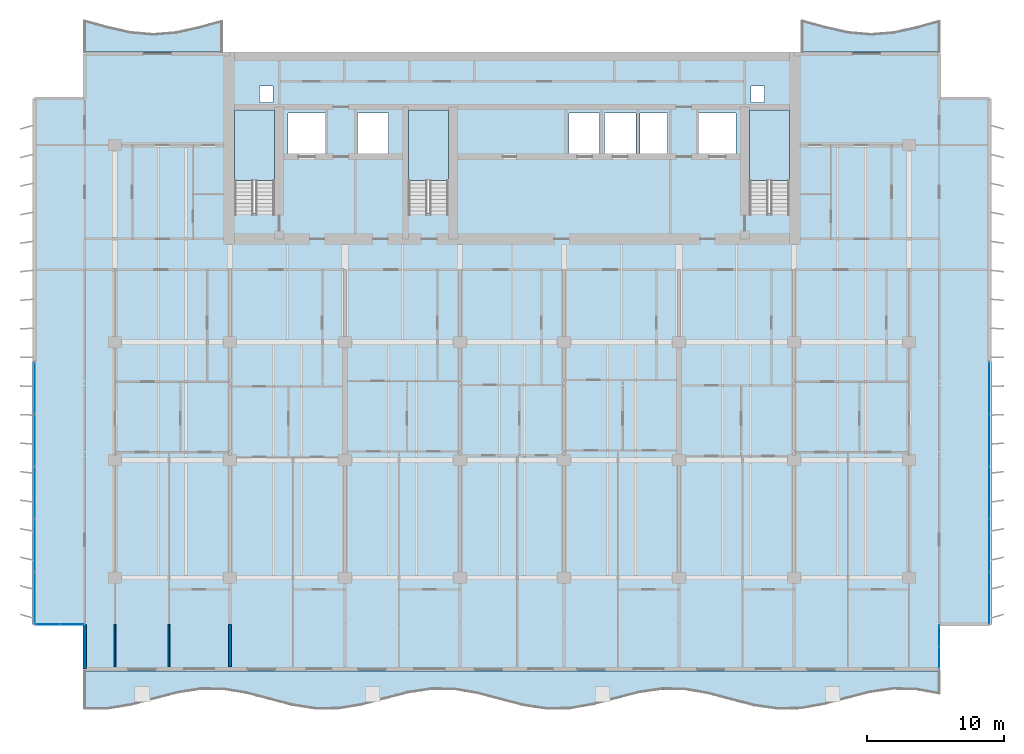
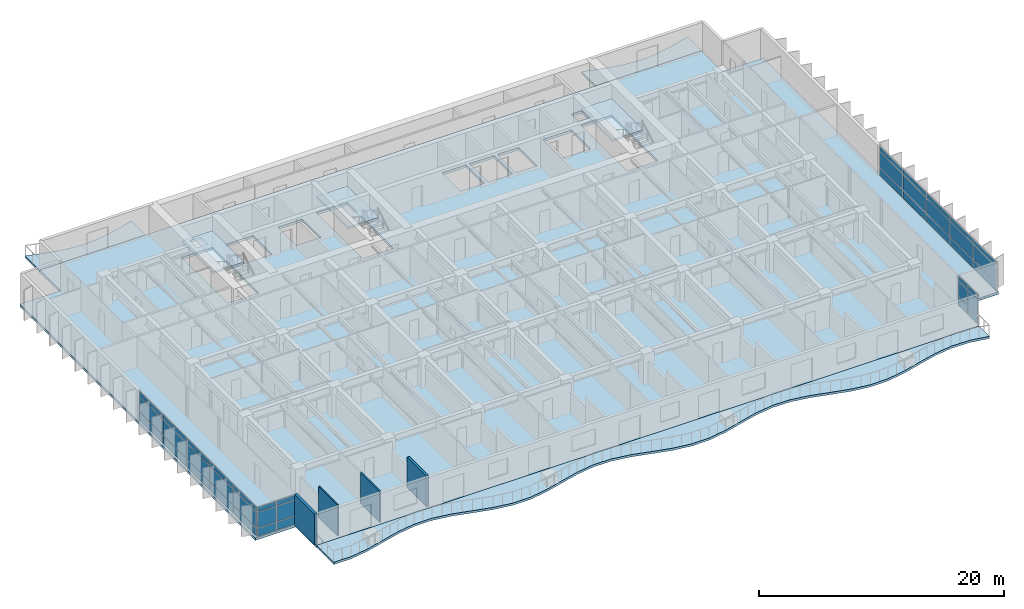
# One storey, part 5 of 18: 42 plates, 7 slabs, 4 walls, 7 elements without a shape of their own.
"""IFC4 building model written with IfcOpenShell, lengths in metres."""

import ifcopenshell
import ifcopenshell.guid

model = None  # the IFC model being written
_history = None  # IfcOwnerHistory: only IFC2X3 demands one
_inside = {}  # id of a spatial element -> (the spatial element, [elements in it])
_under = {}  # id of a project, library or spatial element -> (it, [spatial elements below it])
_declared = {}  # id of a project -> (the project, [libraries it declares])
_typed = {}  # id of a type object -> (the type object, [elements of that type])
_made_of = {}  # id of a material, layer set ... -> (it, [elements and type objects made of it])


def new_model(schema):
    """Start an empty IFC model of exactly this schema.

    Asked for "IFC4X3", IfcOpenShell would pick the latest addendum, in which some entities
    have other attributes; the version numbers below select the first issue.
    IFC2X3 requires an IfcOwnerHistory on every rooted entity: one is made here for all.
    """
    global model, _history
    if schema == "IFC4X3":
        model = ifcopenshell.file(schema_version=(4, 3, 0, 0))
    else:
        model = ifcopenshell.file(schema=schema)
    _inside.clear()
    _under.clear()
    _declared.clear()
    _typed.clear()
    _made_of.clear()
    _history = None
    if model.schema == "IFC2X3":
        org = make("IfcOrganization", Name="unknown")
        user = make(
            "IfcPersonAndOrganization",
            ThePerson=make("IfcPerson", FamilyName="unknown"),
            TheOrganization=org,
        )
        app = make(
            "IfcApplication",
            ApplicationDeveloper=org,
            Version="unknown",
            ApplicationFullName="unknown",
            ApplicationIdentifier="unknown",
        )
        _history = make(
            "IfcOwnerHistory",
            OwningUser=user,
            OwningApplication=app,
            ChangeAction="ADDED",
            CreationDate=0,
        )
    return model


def make(cls, **values):
    """One entity of the class cls with the attributes given. An attribute that is None is left unset."""
    return model.create_entity(
        cls, **{name: value for name, value in values.items() if value is not None}
    )


def rooted(cls, **values):
    """An entity with a GlobalId (a new one), such as an element, a storey or a relation."""
    return make(cls, GlobalId=ifcopenshell.guid.new(), OwnerHistory=_history, **values)


def si_unit(unit_type, name, prefix=None):
    """IfcSIUnit, for example si_unit("LENGTHUNIT", "METRE", prefix="MILLI")."""
    return make("IfcSIUnit", UnitType=unit_type, Prefix=prefix, Name=name)


def assignment(units):
    """IfcUnitAssignment: the units of a project."""
    return None if units is None else make("IfcUnitAssignment", Units=units)


def point(xyz):
    """IfcCartesianPoint."""
    return None if xyz is None else make("IfcCartesianPoint", Coordinates=xyz)


def direction(xyz):
    """IfcDirection."""
    return None if xyz is None else make("IfcDirection", DirectionRatios=xyz)


def frame(location, z_axis=None, x_axis=None):
    """IfcAxis2Placement3D, a coordinate frame: its origin and axes. An axis left out is left unset."""
    return make(
        "IfcAxis2Placement3D",
        Location=point(location),
        Axis=direction(z_axis),
        RefDirection=direction(x_axis),
    )


def frame_2d(location, x_axis=None):
    """IfcAxis2Placement2D, a coordinate frame in the plane: its origin and x axis."""
    return make(
        "IfcAxis2Placement2D", Location=point(location), RefDirection=direction(x_axis)
    )


def origin():
    """The frame at (0, 0, 0) with its axes left unset."""
    return frame((0.0, 0.0, 0.0))


def origin_2d():
    """The frame at (0, 0) in the plane with its x axis left unset."""
    return frame_2d((0.0, 0.0))


def place(relative_to, where):
    """IfcLocalPlacement: puts the frame where relative to a parent placement (None: the world)."""
    return make(
        "IfcLocalPlacement", PlacementRelTo=relative_to, RelativePlacement=where
    )


def context(
    kind, dimensions, precision=None, world=None, true_north=None, identifier=None
):
    """IfcGeometricRepresentationContext, for example the 3D "Model" context."""
    return make(
        "IfcGeometricRepresentationContext",
        ContextIdentifier=identifier,
        ContextType=kind,
        CoordinateSpaceDimension=dimensions,
        Precision=precision,
        WorldCoordinateSystem=world,
        TrueNorth=true_north,
    )


def subcontext(parent, identifier, kind, view, scale=None):
    """IfcGeometricRepresentationSubContext, for example "Body" below "Model"."""
    return make(
        "IfcGeometricRepresentationSubContext",
        ContextIdentifier=identifier,
        ContextType=kind,
        ParentContext=parent,
        TargetScale=scale,
        TargetView=view,
    )


def project(units=None, contexts=None):
    """IfcProject with its units and contexts."""
    return rooted(
        "IfcProject",
        Name="project",
        RepresentationContexts=contexts,
        UnitsInContext=assignment(units),
    )


def spatial(cls, under=None, at=None, **own):
    """A site, building, storey or space (cls), placed at a placement, below another one or the project."""
    s = rooted(cls, ObjectPlacement=at, **own)
    if under is not None:
        _under.setdefault(under.id(), (under, []))[1].append(s)
    return s


def polyline(points):
    """IfcPolyline through the points."""
    return make("IfcPolyline", Points=[point(p) for p in points])


def profile(cls, at=None, kind="AREA", **sizes):
    """A parametric profile (cls). Its sizes go by their IFC names, for example OverallWidth=200.0."""
    return make(cls, ProfileType=kind, Position=at, **sizes)


def rectangle(**sizes):
    """IfcRectangleProfileDef."""
    return profile("IfcRectangleProfileDef", **sizes)


def outline(outer, holes=None, kind="AREA"):
    """IfcArbitraryClosedProfileDef: a profile drawn as a closed curve; with holes, ...WithVoids."""
    if holes is None:
        return make("IfcArbitraryClosedProfileDef", ProfileType=kind, OuterCurve=outer)
    return make(
        "IfcArbitraryProfileDefWithVoids",
        ProfileType=kind,
        OuterCurve=outer,
        InnerCurves=holes,
    )


def extrude(swept, where, along, depth):
    """IfcExtrudedAreaSolid: the profile swept, set in the frame where, extruded along a direction by depth."""
    return make(
        "IfcExtrudedAreaSolid",
        SweptArea=swept,
        Position=where,
        ExtrudedDirection=direction(along),
        Depth=depth,
    )


def shape(context_of_items, identifier, shape_type, items):
    """IfcShapeRepresentation: the items that make up one representation, for example the "Body"."""
    return make(
        "IfcShapeRepresentation",
        ContextOfItems=context_of_items,
        RepresentationIdentifier=identifier,
        RepresentationType=shape_type,
        Items=items,
    )


def material(Name=None, Category=None):
    """IfcMaterial."""
    return make("IfcMaterial", Name=Name, Category=Category)


def layer(
    of_material, thickness, ventilated=None, Name=None, Category=None, Priority=None
):
    """IfcMaterialLayer: one layer of a wall or slab, of a material (None: an air gap)."""
    return make(
        "IfcMaterialLayer",
        Material=of_material,
        LayerThickness=thickness,
        IsVentilated=ventilated,
        Name=Name,
        Category=Category,
        Priority=Priority,
    )


def layer_set(layers, Name=None):
    """IfcMaterialLayerSet."""
    return make("IfcMaterialLayerSet", MaterialLayers=layers, LayerSetName=Name)


def made_of(thing, what):
    """Note that an element or type object is made of a material, layer set ...; save() writes the relation."""
    if what is not None:
        _made_of.setdefault(what.id(), (what, []))[1].append(thing)
    return thing


def type_object(cls, material=None, **own):
    """A type object (cls), such as IfcWallType, which elements share."""
    return made_of(rooted(cls, **own), material)


def element(
    cls,
    number,
    at=None,
    inside=None,
    cuts=None,
    type_object=None,
    material=None,
    context=None,
    identifier="Body",
    shape_type=None,
    held_by="IfcProductDefinitionShape",
    body=None,
    shapes=None,
    **own,
):
    """One element of the class cls, such as IfcWall. Its Tag is "e" and its number.

    at: its placement. inside: the storey or other place that contains it. cuts: it is an
    opening in that element (IfcRelVoidsElement). A single representation is given by context,
    identifier, shape_type and body (its items); several are given by shapes. held_by: the class
    of the entity that holds the representations. save() writes the other relations.
    """
    e = rooted(cls, Tag="e%d" % number, ObjectPlacement=at, **own)
    if body is not None:
        shapes = [shape(context, identifier, shape_type, body)]
    if shapes is not None:
        e.Representation = make(held_by, Representations=shapes)
    if inside is not None:
        _inside.setdefault(inside.id(), (inside, []))[1].append(e)
    if cuts is not None:
        rooted(
            "IfcRelVoidsElement", RelatingBuildingElement=cuts, RelatedOpeningElement=e
        )
    if type_object is not None:
        _typed.setdefault(type_object.id(), (type_object, []))[1].append(e)
    return made_of(e, material)


def aggregate(whole, parts):
    """IfcRelAggregates: a whole, such as a stair, and the parts it consists of."""
    return rooted("IfcRelAggregates", RelatingObject=whole, RelatedObjects=parts)


def save(model, path):
    """Write the relations noted so far, then the file.

    IfcRelAggregates (storeys below a building ...), IfcRelContainedInSpatialStructure (elements
    in a storey), IfcRelDefinesByType, IfcRelAssociatesMaterial and IfcRelDeclares: one each for
    every whole, place, type object, material and project.
    """
    for whole, parts in _under.values():
        aggregate(whole, parts)
    for where, things in _inside.values():
        rooted(
            "IfcRelContainedInSpatialStructure",
            RelatedElements=things,
            RelatingStructure=where,
        )
    for kind, things in _typed.values():
        rooted("IfcRelDefinesByType", RelatedObjects=things, RelatingType=kind)
    for what, things in _made_of.values():
        rooted("IfcRelAssociatesMaterial", RelatedObjects=things, RelatingMaterial=what)
    for by, libraries in _declared.values():
        rooted("IfcRelDeclares", RelatingContext=by, RelatedDefinitions=libraries)
    model.write(path)


model = new_model("IFC4")

# Units and contexts
model_context = context("Model", 3, precision=1e-05, world=origin(), true_north=direction((0.0, 1.0)))
body_context = subcontext(model_context, "Body", "Model", "MODEL_VIEW")
ifc_project = project(units=[si_unit("LENGTHUNIT", "METRE"), si_unit("AREAUNIT", "SQUARE_METRE"), si_unit("VOLUMEUNIT", "CUBIC_METRE"), si_unit("PLANEANGLEUNIT", "RADIAN"), si_unit("MASSUNIT", "GRAM", prefix="KILO")], contexts=[model_context])

# Site, building, storey
site_placement = place(None, origin())
site = spatial("IfcSite", under=ifc_project, at=site_placement, CompositionType="ELEMENT")
building_placement = place(site_placement, origin())
building = spatial("IfcBuilding", under=site, at=building_placement, Name="Caelmar Bay Residences", CompositionType="ELEMENT")
storey_placement = place(building_placement, frame((0.0, 0.0, 129.0)))
storey = spatial("IfcBuildingStorey", under=building, at=storey_placement, Name="L35", CompositionType="ELEMENT", Elevation=129.0)

# Curtain wall, plates
ifc_material_1 = material(Name="Anodised bronze aluminium 6063-T6 and laminated glass", Category="aluminium")
ifc_layer_1 = layer(ifc_material_1, 0.179931640625)
ifc_layer_set_1 = layer_set([ifc_layer_1], Name="Anodised bronze aluminium 6063-T6 and laminated glass")
curtain_wall_type_1 = type_object("IfcCurtainWallType", Name="CW6-NTC", PredefinedType="NOTDEFINED", material=ifc_layer_set_1)
curtain_wall_1_placement = place(storey_placement, origin())
curtain_wall_1 = element("IfcCurtainWall", 1, at=curtain_wall_1_placement, inside=storey, type_object=curtain_wall_type_1, Name="CW6 curtain wall L35", PredefinedType="NOTDEFINED")
ifc_material_2 = material(Name="Bronze-tinted laminated low-E hurricane glass 28 mm", Category="glass")
ifc_layer_2 = layer(ifc_material_2, 0.028076171875)
ifc_layer_set_2 = layer_set([ifc_layer_2], Name="Bronze-tinted laminated low-E hurricane glass 28 mm")
plate_type = type_object("IfcPlateType", Name="CWP-GLZ28", PredefinedType="CURTAIN_PANEL", material=ifc_layer_set_2)
plate_1_placement = place(storey_placement, frame((4.982421875, 8.800048828125, 0.080078125), z_axis=(0.0, 0.0, 1.0), x_axis=(1.0, 0.0, 0.0)))
plate_1 = element("IfcPlate", 2, at=plate_1_placement, type_object=plate_type, Name="CW6 panel 1.1", PredefinedType="CURTAIN_PANEL", context=body_context, shape_type="SweptSolid", body=[
    extrude(rectangle(XDim=1.705078125, YDim=0.028076171875, at=origin_2d()), origin(), (0.0, 0.0, 1.0), 0.780029296875),
])
plate_2_placement = place(storey_placement, frame((4.982421875, 8.800048828125, 0.93994140625), z_axis=(0.0, 0.0, 1.0), x_axis=(1.0, 0.0, 0.0)))
plate_2 = element("IfcPlate", 3, at=plate_2_placement, type_object=plate_type, Name="CW6 panel 1.2", PredefinedType="CURTAIN_PANEL", context=body_context, shape_type="SweptSolid", body=[
    extrude(rectangle(XDim=1.705078125, YDim=0.028076171875, at=origin_2d()), origin(), (0.0, 0.0, 1.0), 1.52001953125),
])
plate_3_placement = place(storey_placement, frame((4.982421875, 8.800048828125, 2.5400390625), z_axis=(0.0, 0.0, 1.0), x_axis=(1.0, 0.0, 0.0)))
plate_3 = element("IfcPlate", 4, at=plate_3_placement, type_object=plate_type, Name="CW6 panel 1.3", PredefinedType="CURTAIN_PANEL", context=body_context, shape_type="SweptSolid", body=[
    extrude(rectangle(XDim=1.705078125, YDim=0.028076171875, at=origin_2d()), origin(), (0.0, 0.0, 1.0), 0.429931640625),
])
plate_4_placement = place(storey_placement, frame((6.767578125, 8.800048828125, 0.080078125), z_axis=(0.0, 0.0, 1.0), x_axis=(1.0, 0.0, 0.0)))
plate_4 = element("IfcPlate", 5, at=plate_4_placement, type_object=plate_type, Name="CW6 panel 2.1", PredefinedType="CURTAIN_PANEL", context=body_context, shape_type="SweptSolid", body=[
    extrude(rectangle(XDim=1.705078125, YDim=0.028076171875, at=origin_2d()), origin(), (0.0, 0.0, 1.0), 0.780029296875),
])
plate_5_placement = place(storey_placement, frame((6.767578125, 8.800048828125, 0.93994140625), z_axis=(0.0, 0.0, 1.0), x_axis=(1.0, 0.0, 0.0)))
plate_5 = element("IfcPlate", 6, at=plate_5_placement, type_object=plate_type, Name="CW6 panel 2.2", PredefinedType="CURTAIN_PANEL", context=body_context, shape_type="SweptSolid", body=[
    extrude(rectangle(XDim=1.705078125, YDim=0.028076171875, at=origin_2d()), origin(), (0.0, 0.0, 1.0), 1.52001953125),
])
plate_6_placement = place(storey_placement, frame((6.767578125, 8.800048828125, 2.5400390625), z_axis=(0.0, 0.0, 1.0), x_axis=(1.0, 0.0, 0.0)))
plate_6 = element("IfcPlate", 7, at=plate_6_placement, type_object=plate_type, Name="CW6 panel 2.3", PredefinedType="CURTAIN_PANEL", context=body_context, shape_type="SweptSolid", body=[
    extrude(rectangle(XDim=1.705078125, YDim=0.028076171875, at=origin_2d()), origin(), (0.0, 0.0, 1.0), 0.429931640625),
])
aggregate(curtain_wall_1, [plate_1, plate_2, plate_3, plate_4, plate_5, plate_6])

curtain_wall_2_placement = place(storey_placement, origin())
curtain_wall_2 = element("IfcCurtainWall", 8, at=curtain_wall_2_placement, inside=storey, type_object=curtain_wall_type_1, Name="CW6 curtain wall L35", PredefinedType="NOTDEFINED")
plate_7_placement = place(storey_placement, frame((70.10009765625, 6.382568359375, 0.080078125), z_axis=(0.0, 0.0, 1.0), x_axis=(0.0, 1.0, 0.0)))
plate_7 = element("IfcPlate", 9, at=plate_7_placement, type_object=plate_type, Name="CW6 panel 1.1", PredefinedType="CURTAIN_PANEL", context=body_context, shape_type="SweptSolid", body=[
    extrude(rectangle(XDim=1.5048828125, YDim=0.028076171875, at=origin_2d()), origin(), (0.0, 0.0, 1.0), 0.780029296875),
])
plate_8_placement = place(storey_placement, frame((70.10009765625, 6.382568359375, 0.93994140625), z_axis=(0.0, 0.0, 1.0), x_axis=(0.0, 1.0, 0.0)))
plate_8 = element("IfcPlate", 10, at=plate_8_placement, type_object=plate_type, Name="CW6 panel 1.2", PredefinedType="CURTAIN_PANEL", context=body_context, shape_type="SweptSolid", body=[
    extrude(rectangle(XDim=1.5048828125, YDim=0.028076171875, at=origin_2d()), origin(), (0.0, 0.0, 1.0), 1.52001953125),
])
plate_9_placement = place(storey_placement, frame((70.10009765625, 6.382568359375, 2.5400390625), z_axis=(0.0, 0.0, 1.0), x_axis=(0.0, 1.0, 0.0)))
plate_9 = element("IfcPlate", 11, at=plate_9_placement, type_object=plate_type, Name="CW6 panel 1.3", PredefinedType="CURTAIN_PANEL", context=body_context, shape_type="SweptSolid", body=[
    extrude(rectangle(XDim=1.5048828125, YDim=0.028076171875, at=origin_2d()), origin(), (0.0, 0.0, 1.0), 0.429931640625),
])
plate_10_placement = place(storey_placement, frame((70.10009765625, 7.967529296875, 0.080078125), z_axis=(0.0, 0.0, 1.0), x_axis=(0.0, 1.0, 0.0)))
plate_10 = element("IfcPlate", 12, at=plate_10_placement, type_object=plate_type, Name="CW6 panel 2.1", PredefinedType="CURTAIN_PANEL", context=body_context, shape_type="SweptSolid", body=[
    extrude(rectangle(XDim=1.5048828125, YDim=0.028076171875, at=origin_2d()), origin(), (0.0, 0.0, 1.0), 0.780029296875),
])
plate_11_placement = place(storey_placement, frame((70.10009765625, 7.967529296875, 0.93994140625), z_axis=(0.0, 0.0, 1.0), x_axis=(0.0, 1.0, 0.0)))
plate_11 = element("IfcPlate", 13, at=plate_11_placement, type_object=plate_type, Name="CW6 panel 2.2", PredefinedType="CURTAIN_PANEL", context=body_context, shape_type="SweptSolid", body=[
    extrude(rectangle(XDim=1.5048828125, YDim=0.028076171875, at=origin_2d()), origin(), (0.0, 0.0, 1.0), 1.52001953125),
])
plate_12_placement = place(storey_placement, frame((70.10009765625, 7.967529296875, 2.5400390625), z_axis=(0.0, 0.0, 1.0), x_axis=(0.0, 1.0, 0.0)))
plate_12 = element("IfcPlate", 14, at=plate_12_placement, type_object=plate_type, Name="CW6 panel 2.3", PredefinedType="CURTAIN_PANEL", context=body_context, shape_type="SweptSolid", body=[
    extrude(rectangle(XDim=1.5048828125, YDim=0.028076171875, at=origin_2d()), origin(), (0.0, 0.0, 1.0), 0.429931640625),
])
aggregate(curtain_wall_2, [plate_7, plate_8, plate_9, plate_10, plate_11, plate_12])

ifc_layer_3 = layer(ifc_material_1, 0.179931640625)
ifc_layer_set_3 = layer_set([ifc_layer_3], Name="Anodised bronze aluminium 6063-T6 and laminated glass")
curtain_wall_type_2 = type_object("IfcCurtainWallType", Name="CW3-Z2", PredefinedType="NOTDEFINED", material=ifc_layer_set_3)
curtain_wall_3_placement = place(storey_placement, origin())
curtain_wall_3 = element("IfcCurtainWall", 15, at=curtain_wall_3_placement, inside=storey, type_object=curtain_wall_type_2, Name="CW3 curtain wall L35", PredefinedType="NOTDEFINED")
plate_13_placement = place(storey_placement, frame((4.050048828125, 10.739990234375, 0.080078125), z_axis=(0.0, 0.0, 1.0), x_axis=(0.0, 1.0, 0.0)))
plate_13 = element("IfcPlate", 16, at=plate_13_placement, type_object=plate_type, Name="CW3 panel 1.1", PredefinedType="CURTAIN_PANEL", context=body_context, shape_type="SweptSolid", body=[
    extrude(rectangle(XDim=3.719970703125, YDim=0.028076171875, at=origin_2d()), origin(), (0.0, 0.0, 1.0), 0.780029296875),
])
plate_14_placement = place(storey_placement, frame((4.050048828125, 10.739990234375, 0.93994140625), z_axis=(0.0, 0.0, 1.0), x_axis=(0.0, 1.0, 0.0)))
plate_14 = element("IfcPlate", 17, at=plate_14_placement, type_object=plate_type, Name="CW3 panel 1.2", PredefinedType="CURTAIN_PANEL", context=body_context, shape_type="SweptSolid", body=[
    extrude(rectangle(XDim=3.719970703125, YDim=0.028076171875, at=origin_2d()), origin(), (0.0, 0.0, 1.0), 1.52001953125),
])
plate_15_placement = place(storey_placement, frame((4.050048828125, 10.739990234375, 2.5400390625), z_axis=(0.0, 0.0, 1.0), x_axis=(0.0, 1.0, 0.0)))
plate_15 = element("IfcPlate", 18, at=plate_15_placement, type_object=plate_type, Name="CW3 panel 1.3", PredefinedType="CURTAIN_PANEL", context=body_context, shape_type="SweptSolid", body=[
    extrude(rectangle(XDim=3.719970703125, YDim=0.028076171875, at=origin_2d()), origin(), (0.0, 0.0, 1.0), 0.429931640625),
])
plate_16_placement = place(storey_placement, frame((4.050048828125, 14.56005859375, 0.080078125), z_axis=(0.0, 0.0, 1.0), x_axis=(0.0, 1.0, 0.0)))
plate_16 = element("IfcPlate", 19, at=plate_16_placement, type_object=plate_type, Name="CW3 panel 2.1", PredefinedType="CURTAIN_PANEL", context=body_context, shape_type="SweptSolid", body=[
    extrude(rectangle(XDim=3.760009765625, YDim=0.028076171875, at=origin_2d()), origin(), (0.0, 0.0, 1.0), 0.780029296875),
])
plate_17_placement = place(storey_placement, frame((4.050048828125, 14.56005859375, 0.93994140625), z_axis=(0.0, 0.0, 1.0), x_axis=(0.0, 1.0, 0.0)))
plate_17 = element("IfcPlate", 20, at=plate_17_placement, type_object=plate_type, Name="CW3 panel 2.2", PredefinedType="CURTAIN_PANEL", context=body_context, shape_type="SweptSolid", body=[
    extrude(rectangle(XDim=3.760009765625, YDim=0.028076171875, at=origin_2d()), origin(), (0.0, 0.0, 1.0), 1.52001953125),
])
plate_18_placement = place(storey_placement, frame((4.050048828125, 14.56005859375, 2.5400390625), z_axis=(0.0, 0.0, 1.0), x_axis=(0.0, 1.0, 0.0)))
plate_18 = element("IfcPlate", 21, at=plate_18_placement, type_object=plate_type, Name="CW3 panel 2.3", PredefinedType="CURTAIN_PANEL", context=body_context, shape_type="SweptSolid", body=[
    extrude(rectangle(XDim=3.760009765625, YDim=0.028076171875, at=origin_2d()), origin(), (0.0, 0.0, 1.0), 0.429931640625),
])
plate_19_placement = place(storey_placement, frame((4.050048828125, 18.39990234375, 0.080078125), z_axis=(0.0, 0.0, 1.0), x_axis=(0.0, 1.0, 0.0)))
plate_19 = element("IfcPlate", 22, at=plate_19_placement, type_object=plate_type, Name="CW3 panel 3.1", PredefinedType="CURTAIN_PANEL", context=body_context, shape_type="SweptSolid", body=[
    extrude(rectangle(XDim=3.760009765625, YDim=0.028076171875, at=origin_2d()), origin(), (0.0, 0.0, 1.0), 0.780029296875),
])
plate_20_placement = place(storey_placement, frame((4.050048828125, 18.39990234375, 0.93994140625), z_axis=(0.0, 0.0, 1.0), x_axis=(0.0, 1.0, 0.0)))
plate_20 = element("IfcPlate", 23, at=plate_20_placement, type_object=plate_type, Name="CW3 panel 3.2", PredefinedType="CURTAIN_PANEL", context=body_context, shape_type="SweptSolid", body=[
    extrude(rectangle(XDim=3.760009765625, YDim=0.028076171875, at=origin_2d()), origin(), (0.0, 0.0, 1.0), 1.52001953125),
])
plate_21_placement = place(storey_placement, frame((4.050048828125, 18.39990234375, 2.5400390625), z_axis=(0.0, 0.0, 1.0), x_axis=(0.0, 1.0, 0.0)))
plate_21 = element("IfcPlate", 24, at=plate_21_placement, type_object=plate_type, Name="CW3 panel 3.3", PredefinedType="CURTAIN_PANEL", context=body_context, shape_type="SweptSolid", body=[
    extrude(rectangle(XDim=3.760009765625, YDim=0.028076171875, at=origin_2d()), origin(), (0.0, 0.0, 1.0), 0.429931640625),
])
plate_22_placement = place(storey_placement, frame((4.050048828125, 22.239990234375, 0.080078125), z_axis=(0.0, 0.0, 1.0), x_axis=(0.0, 1.0, 0.0)))
plate_22 = element("IfcPlate", 25, at=plate_22_placement, type_object=plate_type, Name="CW3 panel 4.1", PredefinedType="CURTAIN_PANEL", context=body_context, shape_type="SweptSolid", body=[
    extrude(rectangle(XDim=3.760009765625, YDim=0.028076171875, at=origin_2d()), origin(), (0.0, 0.0, 1.0), 0.780029296875),
])
plate_23_placement = place(storey_placement, frame((4.050048828125, 22.239990234375, 0.93994140625), z_axis=(0.0, 0.0, 1.0), x_axis=(0.0, 1.0, 0.0)))
plate_23 = element("IfcPlate", 26, at=plate_23_placement, type_object=plate_type, Name="CW3 panel 4.2", PredefinedType="CURTAIN_PANEL", context=body_context, shape_type="SweptSolid", body=[
    extrude(rectangle(XDim=3.760009765625, YDim=0.028076171875, at=origin_2d()), origin(), (0.0, 0.0, 1.0), 1.52001953125),
])
plate_24_placement = place(storey_placement, frame((4.050048828125, 22.239990234375, 2.5400390625), z_axis=(0.0, 0.0, 1.0), x_axis=(0.0, 1.0, 0.0)))
plate_24 = element("IfcPlate", 27, at=plate_24_placement, type_object=plate_type, Name="CW3 panel 4.3", PredefinedType="CURTAIN_PANEL", context=body_context, shape_type="SweptSolid", body=[
    extrude(rectangle(XDim=3.760009765625, YDim=0.028076171875, at=origin_2d()), origin(), (0.0, 0.0, 1.0), 0.429931640625),
])
plate_25_placement = place(storey_placement, frame((4.050048828125, 26.06005859375, 0.080078125), z_axis=(0.0, 0.0, 1.0), x_axis=(0.0, 1.0, 0.0)))
plate_25 = element("IfcPlate", 28, at=plate_25_placement, type_object=plate_type, Name="CW3 panel 5.1", PredefinedType="CURTAIN_PANEL", context=body_context, shape_type="SweptSolid", body=[
    extrude(rectangle(XDim=3.719970703125, YDim=0.028076171875, at=origin_2d()), origin(), (0.0, 0.0, 1.0), 0.780029296875),
])
plate_26_placement = place(storey_placement, frame((4.050048828125, 26.06005859375, 0.93994140625), z_axis=(0.0, 0.0, 1.0), x_axis=(0.0, 1.0, 0.0)))
plate_26 = element("IfcPlate", 29, at=plate_26_placement, type_object=plate_type, Name="CW3 panel 5.2", PredefinedType="CURTAIN_PANEL", context=body_context, shape_type="SweptSolid", body=[
    extrude(rectangle(XDim=3.719970703125, YDim=0.028076171875, at=origin_2d()), origin(), (0.0, 0.0, 1.0), 1.52001953125),
])
plate_27_placement = place(storey_placement, frame((4.050048828125, 26.06005859375, 2.5400390625), z_axis=(0.0, 0.0, 1.0), x_axis=(0.0, 1.0, 0.0)))
plate_27 = element("IfcPlate", 30, at=plate_27_placement, type_object=plate_type, Name="CW3 panel 5.3", PredefinedType="CURTAIN_PANEL", context=body_context, shape_type="SweptSolid", body=[
    extrude(rectangle(XDim=3.719970703125, YDim=0.028076171875, at=origin_2d()), origin(), (0.0, 0.0, 1.0), 0.429931640625),
])
aggregate(curtain_wall_3, [plate_13, plate_14, plate_15, plate_16, plate_17, plate_18, plate_19, plate_20, plate_21, plate_22, plate_23, plate_24, plate_25, plate_26, plate_27])

curtain_wall_4_placement = place(storey_placement, origin())
curtain_wall_4 = element("IfcCurtainWall", 31, at=curtain_wall_4_placement, inside=storey, type_object=curtain_wall_type_2, Name="CW3 curtain wall L35", PredefinedType="NOTDEFINED")
plate_28_placement = place(storey_placement, frame((73.75, 26.06005859375, 0.080078125), z_axis=(0.0, 0.0, 1.0), x_axis=(0.0, -1.0, 0.0)))
plate_28 = element("IfcPlate", 32, at=plate_28_placement, type_object=plate_type, Name="CW3 panel 1.1", PredefinedType="CURTAIN_PANEL", context=body_context, shape_type="SweptSolid", body=[
    extrude(rectangle(XDim=3.719970703125, YDim=0.028076171875, at=origin_2d()), origin(), (0.0, 0.0, 1.0), 0.780029296875),
])
plate_29_placement = place(storey_placement, frame((73.75, 26.06005859375, 0.93994140625), z_axis=(0.0, 0.0, 1.0), x_axis=(0.0, -1.0, 0.0)))
plate_29 = element("IfcPlate", 33, at=plate_29_placement, type_object=plate_type, Name="CW3 panel 1.2", PredefinedType="CURTAIN_PANEL", context=body_context, shape_type="SweptSolid", body=[
    extrude(rectangle(XDim=3.719970703125, YDim=0.028076171875, at=origin_2d()), origin(), (0.0, 0.0, 1.0), 1.52001953125),
])
plate_30_placement = place(storey_placement, frame((73.75, 26.06005859375, 2.5400390625), z_axis=(0.0, 0.0, 1.0), x_axis=(0.0, -1.0, 0.0)))
plate_30 = element("IfcPlate", 34, at=plate_30_placement, type_object=plate_type, Name="CW3 panel 1.3", PredefinedType="CURTAIN_PANEL", context=body_context, shape_type="SweptSolid", body=[
    extrude(rectangle(XDim=3.719970703125, YDim=0.028076171875, at=origin_2d()), origin(), (0.0, 0.0, 1.0), 0.429931640625),
])
plate_31_placement = place(storey_placement, frame((73.75, 22.239990234375, 0.080078125), z_axis=(0.0, 0.0, 1.0), x_axis=(0.0, -1.0, 0.0)))
plate_31 = element("IfcPlate", 35, at=plate_31_placement, type_object=plate_type, Name="CW3 panel 2.1", PredefinedType="CURTAIN_PANEL", context=body_context, shape_type="SweptSolid", body=[
    extrude(rectangle(XDim=3.760009765625, YDim=0.028076171875, at=origin_2d()), origin(), (0.0, 0.0, 1.0), 0.780029296875),
])
plate_32_placement = place(storey_placement, frame((73.75, 22.239990234375, 0.93994140625), z_axis=(0.0, 0.0, 1.0), x_axis=(0.0, -1.0, 0.0)))
plate_32 = element("IfcPlate", 36, at=plate_32_placement, type_object=plate_type, Name="CW3 panel 2.2", PredefinedType="CURTAIN_PANEL", context=body_context, shape_type="SweptSolid", body=[
    extrude(rectangle(XDim=3.760009765625, YDim=0.028076171875, at=origin_2d()), origin(), (0.0, 0.0, 1.0), 1.52001953125),
])
plate_33_placement = place(storey_placement, frame((73.75, 22.239990234375, 2.5400390625), z_axis=(0.0, 0.0, 1.0), x_axis=(0.0, -1.0, 0.0)))
plate_33 = element("IfcPlate", 37, at=plate_33_placement, type_object=plate_type, Name="CW3 panel 2.3", PredefinedType="CURTAIN_PANEL", context=body_context, shape_type="SweptSolid", body=[
    extrude(rectangle(XDim=3.760009765625, YDim=0.028076171875, at=origin_2d()), origin(), (0.0, 0.0, 1.0), 0.429931640625),
])
plate_34_placement = place(storey_placement, frame((73.75, 18.39990234375, 0.080078125), z_axis=(0.0, 0.0, 1.0), x_axis=(0.0, -1.0, 0.0)))
plate_34 = element("IfcPlate", 38, at=plate_34_placement, type_object=plate_type, Name="CW3 panel 3.1", PredefinedType="CURTAIN_PANEL", context=body_context, shape_type="SweptSolid", body=[
    extrude(rectangle(XDim=3.760009765625, YDim=0.028076171875, at=origin_2d()), origin(), (0.0, 0.0, 1.0), 0.780029296875),
])
plate_35_placement = place(storey_placement, frame((73.75, 18.39990234375, 0.93994140625), z_axis=(0.0, 0.0, 1.0), x_axis=(0.0, -1.0, 0.0)))
plate_35 = element("IfcPlate", 39, at=plate_35_placement, type_object=plate_type, Name="CW3 panel 3.2", PredefinedType="CURTAIN_PANEL", context=body_context, shape_type="SweptSolid", body=[
    extrude(rectangle(XDim=3.760009765625, YDim=0.028076171875, at=origin_2d()), origin(), (0.0, 0.0, 1.0), 1.52001953125),
])
plate_36_placement = place(storey_placement, frame((73.75, 18.39990234375, 2.5400390625), z_axis=(0.0, 0.0, 1.0), x_axis=(0.0, -1.0, 0.0)))
plate_36 = element("IfcPlate", 40, at=plate_36_placement, type_object=plate_type, Name="CW3 panel 3.3", PredefinedType="CURTAIN_PANEL", context=body_context, shape_type="SweptSolid", body=[
    extrude(rectangle(XDim=3.760009765625, YDim=0.028076171875, at=origin_2d()), origin(), (0.0, 0.0, 1.0), 0.429931640625),
])
plate_37_placement = place(storey_placement, frame((73.75, 14.56005859375, 0.080078125), z_axis=(0.0, 0.0, 1.0), x_axis=(0.0, -1.0, 0.0)))
plate_37 = element("IfcPlate", 41, at=plate_37_placement, type_object=plate_type, Name="CW3 panel 4.1", PredefinedType="CURTAIN_PANEL", context=body_context, shape_type="SweptSolid", body=[
    extrude(rectangle(XDim=3.760009765625, YDim=0.028076171875, at=origin_2d()), origin(), (0.0, 0.0, 1.0), 0.780029296875),
])
plate_38_placement = place(storey_placement, frame((73.75, 14.56005859375, 0.93994140625), z_axis=(0.0, 0.0, 1.0), x_axis=(0.0, -1.0, 0.0)))
plate_38 = element("IfcPlate", 42, at=plate_38_placement, type_object=plate_type, Name="CW3 panel 4.2", PredefinedType="CURTAIN_PANEL", context=body_context, shape_type="SweptSolid", body=[
    extrude(rectangle(XDim=3.760009765625, YDim=0.028076171875, at=origin_2d()), origin(), (0.0, 0.0, 1.0), 1.52001953125),
])
plate_39_placement = place(storey_placement, frame((73.75, 14.56005859375, 2.5400390625), z_axis=(0.0, 0.0, 1.0), x_axis=(0.0, -1.0, 0.0)))
plate_39 = element("IfcPlate", 43, at=plate_39_placement, type_object=plate_type, Name="CW3 panel 4.3", PredefinedType="CURTAIN_PANEL", context=body_context, shape_type="SweptSolid", body=[
    extrude(rectangle(XDim=3.760009765625, YDim=0.028076171875, at=origin_2d()), origin(), (0.0, 0.0, 1.0), 0.429931640625),
])
plate_40_placement = place(storey_placement, frame((73.75, 10.739990234375, 0.080078125), z_axis=(0.0, 0.0, 1.0), x_axis=(0.0, -1.0, 0.0)))
plate_40 = element("IfcPlate", 44, at=plate_40_placement, type_object=plate_type, Name="CW3 panel 5.1", PredefinedType="CURTAIN_PANEL", context=body_context, shape_type="SweptSolid", body=[
    extrude(rectangle(XDim=3.719970703125, YDim=0.028076171875, at=origin_2d()), origin(), (0.0, 0.0, 1.0), 0.780029296875),
])
plate_41_placement = place(storey_placement, frame((73.75, 10.739990234375, 0.93994140625), z_axis=(0.0, 0.0, 1.0), x_axis=(0.0, -1.0, 0.0)))
plate_41 = element("IfcPlate", 45, at=plate_41_placement, type_object=plate_type, Name="CW3 panel 5.2", PredefinedType="CURTAIN_PANEL", context=body_context, shape_type="SweptSolid", body=[
    extrude(rectangle(XDim=3.719970703125, YDim=0.028076171875, at=origin_2d()), origin(), (0.0, 0.0, 1.0), 1.52001953125),
])
plate_42_placement = place(storey_placement, frame((73.75, 10.739990234375, 2.5400390625), z_axis=(0.0, 0.0, 1.0), x_axis=(0.0, -1.0, 0.0)))
plate_42 = element("IfcPlate", 46, at=plate_42_placement, type_object=plate_type, Name="CW3 panel 5.3", PredefinedType="CURTAIN_PANEL", context=body_context, shape_type="SweptSolid", body=[
    extrude(rectangle(XDim=3.719970703125, YDim=0.028076171875, at=origin_2d()), origin(), (0.0, 0.0, 1.0), 0.429931640625),
])
aggregate(curtain_wall_4, [plate_28, plate_29, plate_30, plate_31, plate_32, plate_33, plate_34, plate_35, plate_36, plate_37, plate_38, plate_39, plate_40, plate_41, plate_42])

# Slabs
ifc_material_3 = material(Name="Concrete f'c 40 MPa (6,000 psi)", Category="concrete")
ifc_layer_4 = layer(ifc_material_3, 0.219970703125)
ifc_layer_set_4 = layer_set([ifc_layer_4], Name="Concrete f'c 40 MPa (6,000 psi)")
slab_type_1 = type_object("IfcSlabType", Name="SLB-BAL-220", PredefinedType="FLOOR", material=ifc_layer_set_4)
slab_1_placement = place(storey_placement, frame((0.0, 0.0, -0.219970703125)))
element("IfcSlab", 47, at=slab_1_placement, inside=storey, type_object=slab_type_1, Name="L35 Sinusoidal Tree-Balcony Slab south", PredefinedType="FLOOR", context=body_context, shape_type="SweptSolid", body=[
    extrude(outline(polyline([(7.699951171875, 2.586669921875), (9.386474609375, 2.58740234375), (11.072998046875, 2.862060546875), (12.759521484375, 3.305419921875), (14.44580078125, 3.74658203125), (16.13232421875, 4.01611328125), (17.81884765625, 4.009765625), (19.50537109375, 3.73046875), (21.19189453125, 3.285400390625), (22.87841796875, 2.845947265625), (24.56494140625, 2.581298828125), (26.25146484375, 2.59326171875), (27.937744140625, 2.876953125), (29.624267578125, 3.323486328125), (31.310791015625, 3.76123046875), (32.997314453125, 4.021240234375), (34.683837890625, 4.00390625), (36.370361328125, 3.71533203125), (38.056884765625, 3.26708984375), (39.7431640625, 2.831787109375), (41.4296875, 2.576416015625), (43.1162109375, 2.599365234375), (44.802734375, 2.89208984375), (46.4892578125, 3.341796875), (48.17578125, 3.775390625), (49.8623046875, 4.02587890625), (51.548583984375, 3.997314453125), (53.235107421875, 3.7001953125), (54.921630859375, 3.2490234375), (56.608154296875, 2.817626953125), (58.294677734375, 2.57177734375), (59.981201171875, 2.606201171875), (61.66748046875, 2.90771484375), (63.35400390625, 3.360107421875), (65.04052734375, 3.789306640625), (66.72705078125, 4.030517578125), (68.41357421875, 3.990478515625), (70.10009765625, 3.684814453125), (70.10009765625, 5.39990234375), (7.699951171875, 5.39990234375), (7.699951171875, 2.586669921875)])), origin(), (0.0, 0.0, 1.0), 0.219970703125),
])
slab_2_placement = place(storey_placement, frame((0.0, 0.0, -0.219970703125)))
element("IfcSlab", 48, at=slab_2_placement, inside=storey, type_object=slab_type_1, Name="L35 Sinusoidal Tree-Balcony Slab north_west", PredefinedType="FLOOR", context=body_context, shape_type="SweptSolid", body=[
    extrude(outline(polyline([(7.699951171875, 50.60009765625), (17.699951171875, 50.60009765625), (17.699951171875, 52.910400390625), (16.033203125, 52.450439453125), (14.36669921875, 52.084716796875), (12.699951171875, 51.9501953125), (11.033203125, 52.09765625), (9.36669921875, 52.4716796875), (7.699951171875, 52.931884765625), (7.699951171875, 50.60009765625)])), origin(), (0.0, 0.0, 1.0), 0.219970703125),
])
slab_3_placement = place(storey_placement, frame((0.0, 0.0, -0.219970703125)))
element("IfcSlab", 49, at=slab_3_placement, inside=storey, type_object=slab_type_1, Name="L35 Sinusoidal Tree-Balcony Slab north_east", PredefinedType="FLOOR", context=body_context, shape_type="SweptSolid", body=[
    extrude(outline(polyline([(60.10009765625, 50.60009765625), (70.10009765625, 50.60009765625), (70.10009765625, 52.910400390625), (68.433349609375, 52.450439453125), (66.7666015625, 52.084716796875), (65.10009765625, 51.9501953125), (63.433349609375, 52.09765625), (61.7666015625, 52.4716796875), (60.10009765625, 52.931884765625), (60.10009765625, 50.60009765625)])), origin(), (0.0, 0.0, 1.0), 0.219970703125),
])

# Stair, slab
stair_type = type_object("IfcStairType", Name="ST-TYP-165", PredefinedType="HALF_TURN_STAIR", material=ifc_material_3)
stair_1_placement = place(storey_placement, origin())
stair_1 = element("IfcStair", 50, at=stair_1_placement, inside=storey, type_object=stair_type, Name="L35 West Smokeproof Exit Stair ST1", PredefinedType="HALF_TURN_STAIR")
ifc_layer_5 = layer(ifc_material_3, 0.199951171875)
ifc_layer_set_5 = layer_set([ifc_layer_5], Name="Concrete f'c 40 MPa (6,000 psi)")
slab_type_2 = type_object("IfcSlabType", Name="SLB-LND-200", PredefinedType="LANDING", material=ifc_layer_set_5)
slab_4_placement = place(storey_placement, frame((0.0, 0.0, 1.449951171875)))
slab_4 = element("IfcSlab", 51, at=slab_4_placement, type_object=slab_type_2, Name="ST1 landing 1", PredefinedType="LANDING", context=body_context, shape_type="SweptSolid", body=[
    extrude(outline(polyline([(21.550048828125, 41.219970703125), (21.550048828125, 46.35009765625), (18.64990234375, 46.35009765625), (18.64990234375, 41.219970703125), (21.550048828125, 41.219970703125)])), origin(), (0.0, 0.0, 1.0), 0.199951171875),
])
aggregate(stair_1, [slab_4])

stair_2_placement = place(storey_placement, origin())
stair_2 = element("IfcStair", 52, at=stair_2_placement, inside=storey, type_object=stair_type, Name="L35 East Smokeproof Exit Stair ST2", PredefinedType="HALF_TURN_STAIR")
slab_5_placement = place(storey_placement, frame((0.0, 0.0, 1.449951171875)))
slab_5 = element("IfcSlab", 53, at=slab_5_placement, type_object=slab_type_2, Name="ST2 landing 1", PredefinedType="LANDING", context=body_context, shape_type="SweptSolid", body=[
    extrude(outline(polyline([(59.14990234375, 41.219970703125), (59.14990234375, 46.35009765625), (56.25, 46.35009765625), (56.25, 41.219970703125), (59.14990234375, 41.219970703125)])), origin(), (0.0, 0.0, 1.0), 0.199951171875),
])
aggregate(stair_2, [slab_5])

stair_3_placement = place(storey_placement, origin())
stair_3 = element("IfcStair", 54, at=stair_3_placement, inside=storey, type_object=stair_type, Name="L35 Central Smokeproof Exit Stair ST3", PredefinedType="HALF_TURN_STAIR")
slab_6_placement = place(storey_placement, frame((0.0, 0.0, 1.449951171875)))
slab_6 = element("IfcSlab", 55, at=slab_6_placement, type_object=slab_type_2, Name="ST3 landing 1", PredefinedType="LANDING", context=body_context, shape_type="SweptSolid", body=[
    extrude(outline(polyline([(34.25, 41.219970703125), (34.25, 46.35009765625), (31.35009765625, 46.35009765625), (31.35009765625, 41.219970703125), (34.25, 41.219970703125)])), origin(), (0.0, 0.0, 1.0), 0.199951171875),
])
aggregate(stair_3, [slab_6])

# Slab
ifc_layer_6 = layer(ifc_material_3, 0.25)
ifc_layer_set_6 = layer_set([ifc_layer_6], Name="Concrete f'c 40 MPa (6,000 psi)")
slab_type_3 = type_object("IfcSlabType", Name="SLB-RES-250", PredefinedType="FLOOR", material=ifc_layer_set_6)
slab_7_placement = place(storey_placement, frame((0.0, 0.0, -0.25)))
element("IfcSlab", 56, at=slab_7_placement, inside=storey, type_object=slab_type_3, Name="L35 Structural Floor Slab", PredefinedType="FLOOR", context=body_context, shape_type="SweptSolid", body=[
    extrude(outline(polyline([(7.699951171875, 5.39990234375), (70.10009765625, 5.39990234375), (70.10009765625, 8.800048828125), (73.89990234375, 8.800048828125), (73.89990234375, 47.199951171875), (70.10009765625, 47.199951171875), (70.10009765625, 50.60009765625), (7.699951171875, 50.60009765625), (7.699951171875, 47.199951171875), (3.89990234375, 47.199951171875), (3.89990234375, 8.800048828125), (7.699951171875, 8.800048828125), (7.699951171875, 5.39990234375)]), holes=[polyline([(18.64990234375, 38.85009765625), (21.550048828125, 38.85009765625), (21.550048828125, 46.35009765625), (18.64990234375, 46.35009765625), (18.64990234375, 38.85009765625)]), polyline([(56.25, 38.85009765625), (59.14990234375, 38.85009765625), (59.14990234375, 46.35009765625), (56.25, 46.35009765625), (56.25, 38.85009765625)]), polyline([(31.35009765625, 38.85009765625), (34.25, 38.85009765625), (34.25, 46.35009765625), (31.35009765625, 46.35009765625), (31.35009765625, 38.85009765625)]), polyline([(22.550048828125, 43.050048828125), (25.25, 43.050048828125), (25.25, 46.14990234375), (22.550048828125, 46.14990234375), (22.550048828125, 43.050048828125)]), polyline([(52.550048828125, 43.050048828125), (55.25, 43.050048828125), (55.25, 46.14990234375), (52.550048828125, 46.14990234375), (52.550048828125, 43.050048828125)]), polyline([(43.050048828125, 43.14990234375), (45.300048828125, 43.14990234375), (45.300048828125, 46.14990234375), (43.050048828125, 46.14990234375), (43.050048828125, 43.14990234375)]), polyline([(45.64990234375, 43.14990234375), (47.949951171875, 43.14990234375), (47.949951171875, 46.14990234375), (45.64990234375, 46.14990234375), (45.64990234375, 43.14990234375)]), polyline([(48.25, 43.14990234375), (50.25, 43.14990234375), (50.25, 46.14990234375), (48.25, 46.14990234375), (48.25, 43.14990234375)]), polyline([(27.60009765625, 43.14990234375), (29.89990234375, 43.14990234375), (29.89990234375, 46.14990234375), (27.60009765625, 46.14990234375), (27.60009765625, 43.14990234375)]), polyline([(20.449951171875, 46.89990234375), (21.449951171875, 46.89990234375), (21.449951171875, 48.10009765625), (20.449951171875, 48.10009765625), (20.449951171875, 46.89990234375)]), polyline([(56.35009765625, 46.89990234375), (57.35009765625, 46.89990234375), (57.35009765625, 48.10009765625), (56.35009765625, 48.10009765625), (56.35009765625, 46.89990234375)])]), origin(), (0.0, 0.0, 1.0), 0.25),
])

# Walls
ifc_material_4 = material(Name="Precast concrete f'c 40 MPa (6,000 psi)", Category="concrete")
ifc_layer_7 = layer(ifc_material_4, 0.25)
ifc_layer_set_7 = layer_set([ifc_layer_7], Name="Precast concrete f'c 40 MPa (6,000 psi)")
wall_type_1 = type_object("IfcWallType", Name="W-EXT-250", PredefinedType="ELEMENTEDWALL", material=ifc_layer_set_7)
wall_1_placement = place(storey_placement, frame((7.699951171875, 8.800048828125, 0.0), z_axis=(0.0, 0.0, 1.0), x_axis=(0.0, -1.0, 0.0)))
element("IfcWall", 57, at=wall_1_placement, inside=storey, type_object=wall_type_1, Name="L35 SW Notch Return Wall", PredefinedType="ELEMENTEDWALL", context=body_context, shape_type="SweptSolid", body=[
    extrude(rectangle(XDim=3.25, YDim=0.25, at=frame_2d((1.625, 0.0))), origin(), (0.0, 0.0, 1.0), 3.050048828125),
])
ifc_material_5 = material(Name="Acoustic metal-stud gypsum partition 120 mm")
ifc_layer_8 = layer(ifc_material_5, 0.1201171875)
ifc_layer_set_8 = layer_set([ifc_layer_8], Name="Acoustic metal-stud gypsum partition 120 mm")
wall_type_2 = type_object("IfcWallType", Name="W-PRT-120", PredefinedType="PARTITIONING", material=ifc_layer_set_8)
for number, where, z_axis, x_axis, name in (
    (58, (9.89990234375, 5.695068359375, 0.0), (0.0, 0.0, 1.0), (0.0, 1.0, 0.0), "L35 Partition Wall V009"),
    (59, (13.847900390625, 5.695068359375, 0.0), (0.0, 0.0, 1.0), (0.0, 1.0, 0.0), "L35 Partition Wall V016"),
):
    element("IfcWall", number, at=place(storey_placement, frame(where, z_axis=z_axis, x_axis=x_axis)), inside=storey, type_object=wall_type_2, Name=name, PredefinedType="PARTITIONING", context=body_context, shape_type="SweptSolid", body=[
        extrude(rectangle(XDim=3.10498046875, YDim=0.1201171875, at=frame_2d((1.552490234375, 0.0))), origin(), (0.0, 0.0, 1.0), 3.050048828125),
    ])
ifc_material_6 = material(Name="Acoustic twin-stud fire-rated inter-tenancy partition 200 mm")
ifc_layer_9 = layer(ifc_material_6, 0.199951171875)
ifc_layer_set_9 = layer_set([ifc_layer_9], Name="Acoustic twin-stud fire-rated inter-tenancy partition 200 mm")
wall_type_3 = type_object("IfcWallType", Name="W-PTY-200", PredefinedType="PARTITIONING", material=ifc_layer_set_9)
wall_2_placement = place(storey_placement, frame((18.300048828125, 5.695068359375, 0.0), z_axis=(0.0, 0.0, 1.0), x_axis=(0.0, 1.0, 0.0)))
element("IfcWall", 60, at=wall_2_placement, inside=storey, type_object=wall_type_3, Name="L35 Partition Wall V023", PredefinedType="PARTITIONING", context=body_context, shape_type="SweptSolid", body=[
    extrude(rectangle(XDim=3.10498046875, YDim=0.199951171875, at=frame_2d((1.552490234375, 0.0))), origin(), (0.0, 0.0, 1.0), 3.050048828125),
])

save(model, "model.ifc")
